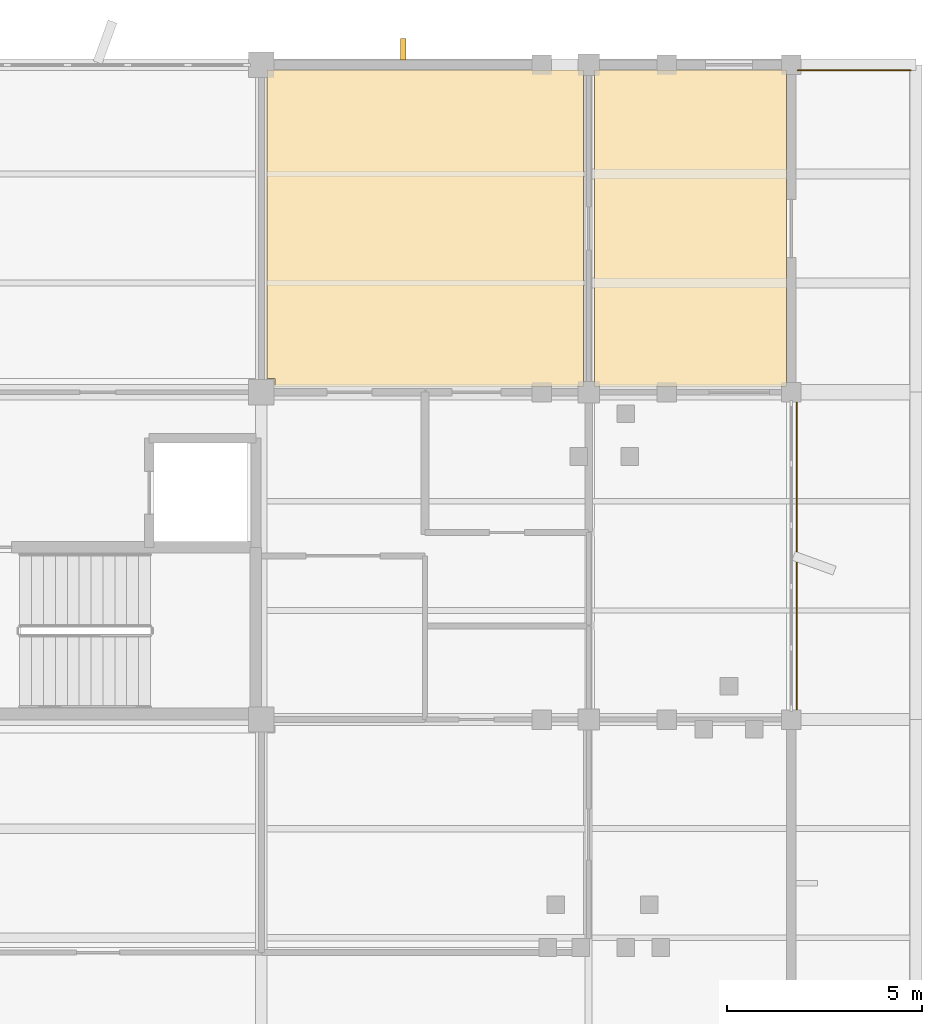
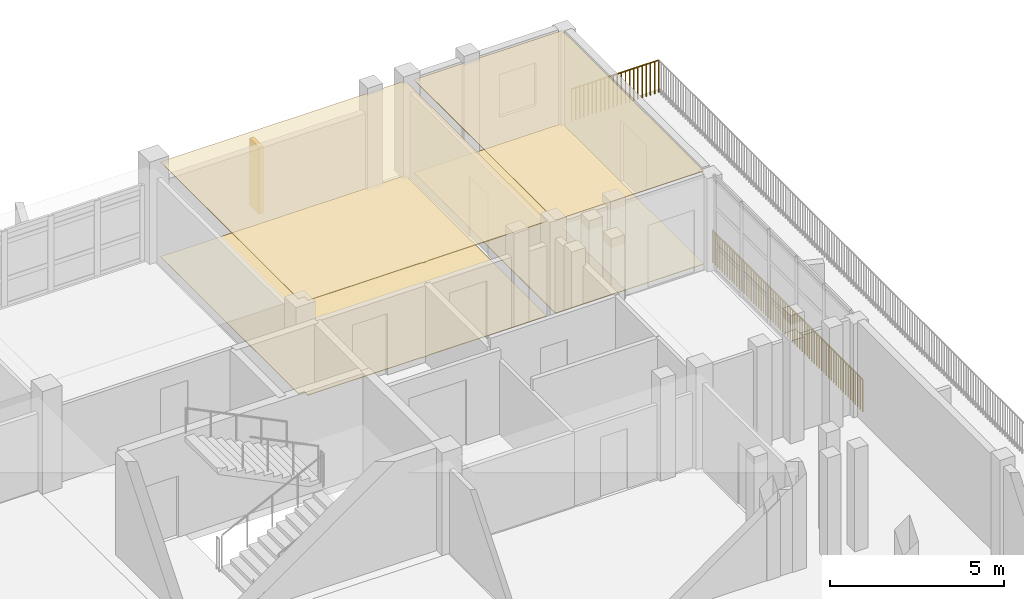
# One storey, part 51 of 51: 4 coverings, 2 railings, 1 shading device.
"""IFC4 building model written with IfcOpenShell, lengths in metres."""

import ifcopenshell
import ifcopenshell.guid

model = None  # the IFC model being written
_history = None  # IfcOwnerHistory: only IFC2X3 demands one
_inside = {}  # id of a spatial element -> (the spatial element, [elements in it])
_under = {}  # id of a project, library or spatial element -> (it, [spatial elements below it])
_declared = {}  # id of a project -> (the project, [libraries it declares])
_typed = {}  # id of a type object -> (the type object, [elements of that type])
_made_of = {}  # id of a material, layer set ... -> (it, [elements and type objects made of it])


def new_model(schema):
    """Start an empty IFC model of exactly this schema.

    Asked for "IFC4X3", IfcOpenShell would pick the latest addendum, in which some entities
    have other attributes; the version numbers below select the first issue.
    IFC2X3 requires an IfcOwnerHistory on every rooted entity: one is made here for all.
    """
    global model, _history
    if schema == "IFC4X3":
        model = ifcopenshell.file(schema_version=(4, 3, 0, 0))
    else:
        model = ifcopenshell.file(schema=schema)
    _inside.clear()
    _under.clear()
    _declared.clear()
    _typed.clear()
    _made_of.clear()
    _history = None
    if model.schema == "IFC2X3":
        org = make("IfcOrganization", Name="unknown")
        user = make(
            "IfcPersonAndOrganization",
            ThePerson=make("IfcPerson", FamilyName="unknown"),
            TheOrganization=org,
        )
        app = make(
            "IfcApplication",
            ApplicationDeveloper=org,
            Version="unknown",
            ApplicationFullName="unknown",
            ApplicationIdentifier="unknown",
        )
        _history = make(
            "IfcOwnerHistory",
            OwningUser=user,
            OwningApplication=app,
            ChangeAction="ADDED",
            CreationDate=0,
        )
    return model


def make(cls, **values):
    """One entity of the class cls with the attributes given. An attribute that is None is left unset."""
    return model.create_entity(
        cls, **{name: value for name, value in values.items() if value is not None}
    )


def rooted(cls, **values):
    """An entity with a GlobalId (a new one), such as an element, a storey or a relation."""
    return make(cls, GlobalId=ifcopenshell.guid.new(), OwnerHistory=_history, **values)


def si_unit(unit_type, name, prefix=None):
    """IfcSIUnit, for example si_unit("LENGTHUNIT", "METRE", prefix="MILLI")."""
    return make("IfcSIUnit", UnitType=unit_type, Prefix=prefix, Name=name)


def assignment(units):
    """IfcUnitAssignment: the units of a project."""
    return None if units is None else make("IfcUnitAssignment", Units=units)


def point(xyz):
    """IfcCartesianPoint."""
    return None if xyz is None else make("IfcCartesianPoint", Coordinates=xyz)


def direction(xyz):
    """IfcDirection."""
    return None if xyz is None else make("IfcDirection", DirectionRatios=xyz)


def frame(location, z_axis=None, x_axis=None):
    """IfcAxis2Placement3D, a coordinate frame: its origin and axes. An axis left out is left unset."""
    return make(
        "IfcAxis2Placement3D",
        Location=point(location),
        Axis=direction(z_axis),
        RefDirection=direction(x_axis),
    )


def frame_2d(location, x_axis=None):
    """IfcAxis2Placement2D, a coordinate frame in the plane: its origin and x axis."""
    return make(
        "IfcAxis2Placement2D", Location=point(location), RefDirection=direction(x_axis)
    )


def origin():
    """The frame at (0, 0, 0) with its axes left unset."""
    return frame((0.0, 0.0, 0.0))


def origin_2d():
    """The frame at (0, 0) in the plane with its x axis left unset."""
    return frame_2d((0.0, 0.0))


def place(relative_to, where):
    """IfcLocalPlacement: puts the frame where relative to a parent placement (None: the world)."""
    return make(
        "IfcLocalPlacement", PlacementRelTo=relative_to, RelativePlacement=where
    )


def context(
    kind, dimensions, precision=None, world=None, true_north=None, identifier=None
):
    """IfcGeometricRepresentationContext, for example the 3D "Model" context."""
    return make(
        "IfcGeometricRepresentationContext",
        ContextIdentifier=identifier,
        ContextType=kind,
        CoordinateSpaceDimension=dimensions,
        Precision=precision,
        WorldCoordinateSystem=world,
        TrueNorth=true_north,
    )


def subcontext(parent, identifier, kind, view, scale=None):
    """IfcGeometricRepresentationSubContext, for example "Body" below "Model"."""
    return make(
        "IfcGeometricRepresentationSubContext",
        ContextIdentifier=identifier,
        ContextType=kind,
        ParentContext=parent,
        TargetScale=scale,
        TargetView=view,
    )


def project(units=None, contexts=None):
    """IfcProject with its units and contexts."""
    return rooted(
        "IfcProject",
        Name="project",
        RepresentationContexts=contexts,
        UnitsInContext=assignment(units),
    )


def spatial(cls, under=None, at=None, **own):
    """A site, building, storey or space (cls), placed at a placement, below another one or the project."""
    s = rooted(cls, ObjectPlacement=at, **own)
    if under is not None:
        _under.setdefault(under.id(), (under, []))[1].append(s)
    return s


def polyline(points):
    """IfcPolyline through the points."""
    return make("IfcPolyline", Points=[point(p) for p in points])


def profile(cls, at=None, kind="AREA", **sizes):
    """A parametric profile (cls). Its sizes go by their IFC names, for example OverallWidth=200.0."""
    return make(cls, ProfileType=kind, Position=at, **sizes)


def rectangle(**sizes):
    """IfcRectangleProfileDef."""
    return profile("IfcRectangleProfileDef", **sizes)


def circle(**sizes):
    """IfcCircleProfileDef."""
    return profile("IfcCircleProfileDef", **sizes)


def outline(outer, holes=None, kind="AREA"):
    """IfcArbitraryClosedProfileDef: a profile drawn as a closed curve; with holes, ...WithVoids."""
    if holes is None:
        return make("IfcArbitraryClosedProfileDef", ProfileType=kind, OuterCurve=outer)
    return make(
        "IfcArbitraryProfileDefWithVoids",
        ProfileType=kind,
        OuterCurve=outer,
        InnerCurves=holes,
    )


def extrude(swept, where, along, depth):
    """IfcExtrudedAreaSolid: the profile swept, set in the frame where, extruded along a direction by depth."""
    return make(
        "IfcExtrudedAreaSolid",
        SweptArea=swept,
        Position=where,
        ExtrudedDirection=direction(along),
        Depth=depth,
    )


def shape(context_of_items, identifier, shape_type, items):
    """IfcShapeRepresentation: the items that make up one representation, for example the "Body"."""
    return make(
        "IfcShapeRepresentation",
        ContextOfItems=context_of_items,
        RepresentationIdentifier=identifier,
        RepresentationType=shape_type,
        Items=items,
    )


def material(Name=None, Category=None):
    """IfcMaterial."""
    return make("IfcMaterial", Name=Name, Category=Category)


def layer(
    of_material, thickness, ventilated=None, Name=None, Category=None, Priority=None
):
    """IfcMaterialLayer: one layer of a wall or slab, of a material (None: an air gap)."""
    return make(
        "IfcMaterialLayer",
        Material=of_material,
        LayerThickness=thickness,
        IsVentilated=ventilated,
        Name=Name,
        Category=Category,
        Priority=Priority,
    )


def layer_set(layers, Name=None):
    """IfcMaterialLayerSet."""
    return make("IfcMaterialLayerSet", MaterialLayers=layers, LayerSetName=Name)


def made_of(thing, what):
    """Note that an element or type object is made of a material, layer set ...; save() writes the relation."""
    if what is not None:
        _made_of.setdefault(what.id(), (what, []))[1].append(thing)
    return thing


def type_object(cls, material=None, **own):
    """A type object (cls), such as IfcWallType, which elements share."""
    return made_of(rooted(cls, **own), material)


def element(
    cls,
    number,
    at=None,
    inside=None,
    cuts=None,
    type_object=None,
    material=None,
    context=None,
    identifier="Body",
    shape_type=None,
    held_by="IfcProductDefinitionShape",
    body=None,
    shapes=None,
    **own,
):
    """One element of the class cls, such as IfcWall. Its Tag is "e" and its number.

    at: its placement. inside: the storey or other place that contains it. cuts: it is an
    opening in that element (IfcRelVoidsElement). A single representation is given by context,
    identifier, shape_type and body (its items); several are given by shapes. held_by: the class
    of the entity that holds the representations. save() writes the other relations.
    """
    e = rooted(cls, Tag="e%d" % number, ObjectPlacement=at, **own)
    if body is not None:
        shapes = [shape(context, identifier, shape_type, body)]
    if shapes is not None:
        e.Representation = make(held_by, Representations=shapes)
    if inside is not None:
        _inside.setdefault(inside.id(), (inside, []))[1].append(e)
    if cuts is not None:
        rooted(
            "IfcRelVoidsElement", RelatingBuildingElement=cuts, RelatedOpeningElement=e
        )
    if type_object is not None:
        _typed.setdefault(type_object.id(), (type_object, []))[1].append(e)
    return made_of(e, material)


def aggregate(whole, parts):
    """IfcRelAggregates: a whole, such as a stair, and the parts it consists of."""
    return rooted("IfcRelAggregates", RelatingObject=whole, RelatedObjects=parts)


def save(model, path):
    """Write the relations noted so far, then the file.

    IfcRelAggregates (storeys below a building ...), IfcRelContainedInSpatialStructure (elements
    in a storey), IfcRelDefinesByType, IfcRelAssociatesMaterial and IfcRelDeclares: one each for
    every whole, place, type object, material and project.
    """
    for whole, parts in _under.values():
        aggregate(whole, parts)
    for where, things in _inside.values():
        rooted(
            "IfcRelContainedInSpatialStructure",
            RelatedElements=things,
            RelatingStructure=where,
        )
    for kind, things in _typed.values():
        rooted("IfcRelDefinesByType", RelatedObjects=things, RelatingType=kind)
    for what, things in _made_of.values():
        rooted("IfcRelAssociatesMaterial", RelatedObjects=things, RelatingMaterial=what)
    for by, libraries in _declared.values():
        rooted("IfcRelDeclares", RelatingContext=by, RelatedDefinitions=libraries)
    model.write(path)


model = new_model("IFC4")

# Units and contexts
model_context = context("Model", 3, precision=1e-05, world=origin(), true_north=direction((0.0, 1.0)))
body_context = subcontext(model_context, "Body", "Model", "MODEL_VIEW")
ifc_project = project(units=[si_unit("LENGTHUNIT", "METRE"), si_unit("AREAUNIT", "SQUARE_METRE"), si_unit("VOLUMEUNIT", "CUBIC_METRE"), si_unit("PLANEANGLEUNIT", "RADIAN"), si_unit("MASSUNIT", "GRAM", prefix="KILO")], contexts=[model_context])

# Site, building, storey
site_placement = place(None, origin())
site = spatial("IfcSite", under=ifc_project, at=site_placement, CompositionType="ELEMENT")
building_placement = place(site_placement, origin())
building = spatial("IfcBuilding", under=site, at=building_placement, Name="Vanh Quang Courtyard School", CompositionType="ELEMENT")
storey_placement = place(building_placement, frame((0.0, 0.0, 11.39990234375)))
storey = spatial("IfcBuildingStorey", under=building, at=storey_placement, Name="L03", CompositionType="ELEMENT", Elevation=11.39990234375)

# Coverings
ifc_material_1 = material(Name="Perforated mineral-fibre acoustic ceiling board")
ifc_layer_1 = layer(ifc_material_1, 0.02490234375)
ifc_layer_set_1 = layer_set([ifc_layer_1], Name="Perforated mineral-fibre acoustic ceiling board")
covering_type_1 = type_object("IfcCoveringType", Name="COV-CEIL-ACOUSTIC", PredefinedType="CEILING", material=ifc_layer_set_1)
covering_1_placement = place(storey_placement, frame((0.0, 0.0, 3.315185546875)))
element("IfcCovering", 1, at=covering_1_placement, inside=storey, type_object=covering_type_1, Name="Covering CV-CL1 (L03)", PredefinedType="CEILING", context=body_context, shape_type="SweptSolid", body=[
    extrude(outline(polyline([(102.949951171875, 88.35009765625), (102.949951171875, 88.550048828125), (102.75, 88.550048828125), (102.75, 96.4599609375), (102.75, 96.4609375), (102.750244140625, 96.4619140625), (102.75048828125, 96.462890625), (102.750732421875, 96.4638671875), (102.751220703125, 96.464599609375), (102.751708984375, 96.465576171875), (102.752197265625, 96.46630859375), (102.7529296875, 96.467041015625), (102.753662109375, 96.4677734375), (102.75439453125, 96.46826171875), (102.75537109375, 96.46875), (102.756103515625, 96.46923828125), (102.757080078125, 96.469482421875), (102.758056640625, 96.4697265625), (102.759033203125, 96.469970703125), (102.760009765625, 96.469970703125), (110.860107421875, 96.469970703125), (110.861083984375, 96.469970703125), (110.862060546875, 96.4697265625), (110.86279296875, 96.469482421875), (110.86376953125, 96.46923828125), (110.86474609375, 96.46875), (110.865478515625, 96.46826171875), (110.8662109375, 96.4677734375), (110.8671875, 96.467041015625), (110.86767578125, 96.46630859375), (110.868408203125, 96.465576171875), (110.868896484375, 96.464599609375), (110.869140625, 96.4638671875), (110.86962890625, 96.462890625), (110.869873046875, 96.4619140625), (110.8701171875, 96.4609375), (110.8701171875, 96.4599609375), (110.8701171875, 88.360107421875), (110.8701171875, 88.35888671875), (110.869873046875, 88.35791015625), (110.86962890625, 88.357177734375), (110.869140625, 88.356201171875), (110.868896484375, 88.355224609375), (110.868408203125, 88.3544921875), (110.86767578125, 88.353759765625), (110.8671875, 88.352783203125), (110.8662109375, 88.352294921875), (110.865478515625, 88.351806640625), (110.86474609375, 88.351318359375), (110.86376953125, 88.350830078125), (110.86279296875, 88.350341796875), (110.862060546875, 88.35009765625), (110.861083984375, 88.35009765625), (110.860107421875, 88.35009765625), (106.9609375, 88.35009765625), (106.8544921875, 88.330078125), (106.853515625, 88.330078125), (106.8525390625, 88.330078125), (106.767333984375, 88.330078125), (106.7666015625, 88.330078125), (106.765625, 88.330078125), (106.6591796875, 88.35009765625), (102.949951171875, 88.35009765625)])), origin(), (0.0, 0.0, 1.0), 0.02490234375),
])
covering_2_placement = place(storey_placement, frame((0.0, 0.0, 3.255126953125)))
element("IfcCovering", 2, at=covering_2_placement, inside=storey, type_object=covering_type_1, Name="Covering CV-CL1 (L03)", PredefinedType="CEILING", context=body_context, shape_type="SweptSolid", body=[
    extrude(outline(polyline([(111.159912109375, 88.35009765625), (111.158935546875, 88.35009765625), (111.157958984375, 88.35009765625), (111.156982421875, 88.350341796875), (111.15625, 88.350830078125), (111.1552734375, 88.351318359375), (111.154296875, 88.351806640625), (111.15380859375, 88.352294921875), (111.15283203125, 88.352783203125), (111.15234375, 88.353759765625), (111.151611328125, 88.3544921875), (111.151123046875, 88.355224609375), (111.15087890625, 88.356201171875), (111.150390625, 88.357177734375), (111.150146484375, 88.35791015625), (111.14990234375, 88.35888671875), (111.14990234375, 88.360107421875), (111.14990234375, 96.4599609375), (111.14990234375, 96.4609375), (111.150146484375, 96.4619140625), (111.150390625, 96.462890625), (111.15087890625, 96.4638671875), (111.151123046875, 96.464599609375), (111.151611328125, 96.465576171875), (111.15234375, 96.46630859375), (111.15283203125, 96.467041015625), (111.15380859375, 96.4677734375), (111.154296875, 96.46826171875), (111.1552734375, 96.46875), (111.15625, 96.46923828125), (111.156982421875, 96.469482421875), (111.157958984375, 96.4697265625), (111.158935546875, 96.469970703125), (111.159912109375, 96.469970703125), (116.06005859375, 96.469970703125), (116.06103515625, 96.469970703125), (116.06201171875, 96.4697265625), (116.06298828125, 96.469482421875), (116.063720703125, 96.46923828125), (116.064697265625, 96.46875), (116.065673828125, 96.46826171875), (116.06640625, 96.4677734375), (116.067138671875, 96.467041015625), (116.067626953125, 96.46630859375), (116.068359375, 96.465576171875), (116.06884765625, 96.464599609375), (116.069091796875, 96.4638671875), (116.069580078125, 96.462890625), (116.06982421875, 96.4619140625), (116.070068359375, 96.4609375), (116.070068359375, 96.4599609375), (116.070068359375, 88.360107421875), (116.070068359375, 88.35888671875), (116.06982421875, 88.35791015625), (116.069580078125, 88.357177734375), (116.069091796875, 88.356201171875), (116.06884765625, 88.355224609375), (116.068359375, 88.3544921875), (116.067626953125, 88.353759765625), (116.067138671875, 88.352783203125), (116.06640625, 88.352294921875), (116.065673828125, 88.351806640625), (116.064697265625, 88.351318359375), (116.063720703125, 88.350830078125), (116.06298828125, 88.350341796875), (116.06201171875, 88.35009765625), (116.06103515625, 88.35009765625), (116.06005859375, 88.35009765625), (111.159912109375, 88.35009765625)])), origin(), (0.0, 0.0, 1.0), 0.02490234375),
])
ifc_material_2 = material(Name="Polished cementitious terrazzo tile", Category="concrete")
ifc_layer_2 = layer(ifc_material_2, 0.02001953125)
ifc_layer_set_2 = layer_set([ifc_layer_2], Name="Polished cementitious terrazzo tile")
covering_type_2 = type_object("IfcCoveringType", Name="COV-FLR-TERRAZZO", PredefinedType="FLOORING", material=ifc_layer_set_2)
covering_3_placement = place(storey_placement, origin())
element("IfcCovering", 3, at=covering_3_placement, inside=storey, type_object=covering_type_2, Name="Covering CV-FL1 (L03)", PredefinedType="FLOORING", context=body_context, shape_type="SweptSolid", body=[
    extrude(outline(polyline([(102.949951171875, 88.35009765625), (102.949951171875, 88.550048828125), (102.75, 88.550048828125), (102.75, 96.4599609375), (102.75, 96.4609375), (102.750244140625, 96.4619140625), (102.75048828125, 96.462890625), (102.750732421875, 96.4638671875), (102.751220703125, 96.464599609375), (102.751708984375, 96.465576171875), (102.752197265625, 96.46630859375), (102.7529296875, 96.467041015625), (102.753662109375, 96.4677734375), (102.75439453125, 96.46826171875), (102.75537109375, 96.46875), (102.756103515625, 96.46923828125), (102.757080078125, 96.469482421875), (102.758056640625, 96.4697265625), (102.759033203125, 96.469970703125), (102.760009765625, 96.469970703125), (110.860107421875, 96.469970703125), (110.861083984375, 96.469970703125), (110.862060546875, 96.4697265625), (110.86279296875, 96.469482421875), (110.86376953125, 96.46923828125), (110.86474609375, 96.46875), (110.865478515625, 96.46826171875), (110.8662109375, 96.4677734375), (110.8671875, 96.467041015625), (110.86767578125, 96.46630859375), (110.868408203125, 96.465576171875), (110.868896484375, 96.464599609375), (110.869140625, 96.4638671875), (110.86962890625, 96.462890625), (110.869873046875, 96.4619140625), (110.8701171875, 96.4609375), (110.8701171875, 96.4599609375), (110.8701171875, 88.360107421875), (110.8701171875, 88.35888671875), (110.869873046875, 88.35791015625), (110.86962890625, 88.357177734375), (110.869140625, 88.356201171875), (110.868896484375, 88.355224609375), (110.868408203125, 88.3544921875), (110.86767578125, 88.353759765625), (110.8671875, 88.352783203125), (110.8662109375, 88.352294921875), (110.865478515625, 88.351806640625), (110.86474609375, 88.351318359375), (110.86376953125, 88.350830078125), (110.86279296875, 88.350341796875), (110.862060546875, 88.35009765625), (110.861083984375, 88.35009765625), (110.860107421875, 88.35009765625), (106.9609375, 88.35009765625), (106.8544921875, 88.330078125), (106.853515625, 88.330078125), (106.8525390625, 88.330078125), (106.767333984375, 88.330078125), (106.7666015625, 88.330078125), (106.765625, 88.330078125), (106.6591796875, 88.35009765625), (102.949951171875, 88.35009765625)])), origin(), (0.0, 0.0, 1.0), 0.02001953125),
])
covering_4_placement = place(storey_placement, origin())
element("IfcCovering", 4, at=covering_4_placement, inside=storey, type_object=covering_type_2, Name="Covering CV-FL1 (L03)", PredefinedType="FLOORING", context=body_context, shape_type="SweptSolid", body=[
    extrude(outline(polyline([(111.159912109375, 88.35009765625), (111.158935546875, 88.35009765625), (111.157958984375, 88.35009765625), (111.156982421875, 88.350341796875), (111.15625, 88.350830078125), (111.1552734375, 88.351318359375), (111.154296875, 88.351806640625), (111.15380859375, 88.352294921875), (111.15283203125, 88.352783203125), (111.15234375, 88.353759765625), (111.151611328125, 88.3544921875), (111.151123046875, 88.355224609375), (111.15087890625, 88.356201171875), (111.150390625, 88.357177734375), (111.150146484375, 88.35791015625), (111.14990234375, 88.35888671875), (111.14990234375, 88.360107421875), (111.14990234375, 96.4599609375), (111.14990234375, 96.4609375), (111.150146484375, 96.4619140625), (111.150390625, 96.462890625), (111.15087890625, 96.4638671875), (111.151123046875, 96.464599609375), (111.151611328125, 96.465576171875), (111.15234375, 96.46630859375), (111.15283203125, 96.467041015625), (111.15380859375, 96.4677734375), (111.154296875, 96.46826171875), (111.1552734375, 96.46875), (111.15625, 96.46923828125), (111.156982421875, 96.469482421875), (111.157958984375, 96.4697265625), (111.158935546875, 96.469970703125), (111.159912109375, 96.469970703125), (116.06005859375, 96.469970703125), (116.06103515625, 96.469970703125), (116.06201171875, 96.4697265625), (116.06298828125, 96.469482421875), (116.063720703125, 96.46923828125), (116.064697265625, 96.46875), (116.065673828125, 96.46826171875), (116.06640625, 96.4677734375), (116.067138671875, 96.467041015625), (116.067626953125, 96.46630859375), (116.068359375, 96.465576171875), (116.06884765625, 96.464599609375), (116.069091796875, 96.4638671875), (116.069580078125, 96.462890625), (116.06982421875, 96.4619140625), (116.070068359375, 96.4609375), (116.070068359375, 96.4599609375), (116.070068359375, 88.360107421875), (116.070068359375, 88.35888671875), (116.06982421875, 88.35791015625), (116.069580078125, 88.357177734375), (116.069091796875, 88.356201171875), (116.06884765625, 88.355224609375), (116.068359375, 88.3544921875), (116.067626953125, 88.353759765625), (116.067138671875, 88.352783203125), (116.06640625, 88.352294921875), (116.065673828125, 88.351806640625), (116.064697265625, 88.351318359375), (116.063720703125, 88.350830078125), (116.06298828125, 88.350341796875), (116.06201171875, 88.35009765625), (116.06103515625, 88.35009765625), (116.06005859375, 88.35009765625), (111.159912109375, 88.35009765625)])), origin(), (0.0, 0.0, 1.0), 0.02001953125),
])

# Railings
ifc_material_3 = material(Name="Galvanised painted steel EN 10025-2 S355J2", Category="steel")
railing_type = type_object("IfcRailingType", Name="RAIL-GUARD-1150", PredefinedType="BALUSTRADE", material=ifc_material_3)
railing_1_placement = place(storey_placement, frame((116.340087890625, 79.694580078125, 0.0)))
element("IfcRailing", 5, at=railing_1_placement, inside=storey, type_object=railing_type, Name="Railing GR-01 (L03)", PredefinedType="BALUSTRADE", context=body_context, shape_type="SweptSolid", body=[
    extrude(circle(Radius=0.02392578125, at=origin_2d()), frame((0.0, 0.0, 1.1259765625), z_axis=(0.0, 1.0, 0.0), x_axis=(-1.0, 0.0, 0.0)), (0.0, 0.0, 1.0), 8.61083984375),
    extrude(circle(Radius=0.02099609375, at=origin_2d()), origin(), (0.0, 0.0, 1.0), 1.101806640625),
    extrude(circle(Radius=0.02099609375, at=origin_2d()), frame((0.0, 0.138916015625, 0.0)), (0.0, 0.0, 1.0), 1.101806640625),
    extrude(circle(Radius=0.02099609375, at=origin_2d()), frame((0.0, 0.27783203125, 0.0)), (0.0, 0.0, 1.0), 1.101806640625),
    extrude(circle(Radius=0.02099609375, at=origin_2d()), frame((0.0, 0.416748046875, 0.0)), (0.0, 0.0, 1.0), 1.101806640625),
    extrude(circle(Radius=0.02099609375, at=origin_2d()), frame((0.0, 0.555419921875, 0.0)), (0.0, 0.0, 1.0), 1.101806640625),
    extrude(circle(Radius=0.02099609375, at=origin_2d()), frame((0.0, 0.6943359375, 0.0)), (0.0, 0.0, 1.0), 1.101806640625),
    extrude(circle(Radius=0.02099609375, at=origin_2d()), frame((0.0, 0.833251953125, 0.0)), (0.0, 0.0, 1.0), 1.101806640625),
    extrude(circle(Radius=0.02099609375, at=origin_2d()), frame((0.0, 0.97216796875, 0.0)), (0.0, 0.0, 1.0), 1.101806640625),
    extrude(circle(Radius=0.02099609375, at=origin_2d()), frame((0.0, 1.111083984375, 0.0)), (0.0, 0.0, 1.0), 1.101806640625),
    extrude(circle(Radius=0.02099609375, at=origin_2d()), frame((0.0, 1.25, 0.0)), (0.0, 0.0, 1.0), 1.101806640625),
    extrude(circle(Radius=0.02099609375, at=origin_2d()), frame((0.0, 1.388916015625, 0.0)), (0.0, 0.0, 1.0), 1.101806640625),
    extrude(circle(Radius=0.02099609375, at=origin_2d()), frame((0.0, 1.52783203125, 0.0)), (0.0, 0.0, 1.0), 1.101806640625),
    extrude(circle(Radius=0.02099609375, at=origin_2d()), frame((0.0, 1.66650390625, 0.0)), (0.0, 0.0, 1.0), 1.101806640625),
    extrude(circle(Radius=0.02099609375, at=origin_2d()), frame((0.0, 1.805419921875, 0.0)), (0.0, 0.0, 1.0), 1.101806640625),
    extrude(circle(Radius=0.02099609375, at=origin_2d()), frame((0.0, 1.9443359375, 0.0)), (0.0, 0.0, 1.0), 1.101806640625),
    extrude(circle(Radius=0.02099609375, at=origin_2d()), frame((0.0, 2.083251953125, 0.0)), (0.0, 0.0, 1.0), 1.101806640625),
    extrude(circle(Radius=0.02099609375, at=origin_2d()), frame((0.0, 2.22216796875, 0.0)), (0.0, 0.0, 1.0), 1.101806640625),
    extrude(circle(Radius=0.02099609375, at=origin_2d()), frame((0.0, 2.361083984375, 0.0)), (0.0, 0.0, 1.0), 1.101806640625),
    extrude(circle(Radius=0.02099609375, at=origin_2d()), frame((0.0, 2.5, 0.0)), (0.0, 0.0, 1.0), 1.101806640625),
    extrude(circle(Radius=0.02099609375, at=origin_2d()), frame((0.0, 2.638916015625, 0.0)), (0.0, 0.0, 1.0), 1.101806640625),
    extrude(circle(Radius=0.02099609375, at=origin_2d()), frame((0.0, 2.777587890625, 0.0)), (0.0, 0.0, 1.0), 1.101806640625),
    extrude(circle(Radius=0.02099609375, at=origin_2d()), frame((0.0, 2.91650390625, 0.0)), (0.0, 0.0, 1.0), 1.101806640625),
    extrude(circle(Radius=0.02099609375, at=origin_2d()), frame((0.0, 3.055419921875, 0.0)), (0.0, 0.0, 1.0), 1.101806640625),
    extrude(circle(Radius=0.02099609375, at=origin_2d()), frame((0.0, 3.1943359375, 0.0)), (0.0, 0.0, 1.0), 1.101806640625),
    extrude(circle(Radius=0.02099609375, at=origin_2d()), frame((0.0, 3.333251953125, 0.0)), (0.0, 0.0, 1.0), 1.101806640625),
    extrude(circle(Radius=0.02099609375, at=origin_2d()), frame((0.0, 3.47216796875, 0.0)), (0.0, 0.0, 1.0), 1.101806640625),
    extrude(circle(Radius=0.02099609375, at=origin_2d()), frame((0.0, 3.611083984375, 0.0)), (0.0, 0.0, 1.0), 1.101806640625),
    extrude(circle(Radius=0.02099609375, at=origin_2d()), frame((0.0, 3.75, 0.0)), (0.0, 0.0, 1.0), 1.101806640625),
    extrude(circle(Radius=0.02099609375, at=origin_2d()), frame((0.0, 3.888671875, 0.0)), (0.0, 0.0, 1.0), 1.101806640625),
    extrude(circle(Radius=0.02099609375, at=origin_2d()), frame((0.0, 4.027587890625, 0.0)), (0.0, 0.0, 1.0), 1.101806640625),
    extrude(circle(Radius=0.02099609375, at=origin_2d()), frame((0.0, 4.16650390625, 0.0)), (0.0, 0.0, 1.0), 1.101806640625),
    extrude(circle(Radius=0.02099609375, at=origin_2d()), frame((0.0, 4.305419921875, 0.0)), (0.0, 0.0, 1.0), 1.101806640625),
    extrude(circle(Radius=0.02099609375, at=origin_2d()), frame((0.0, 4.4443359375, 0.0)), (0.0, 0.0, 1.0), 1.101806640625),
    extrude(circle(Radius=0.02099609375, at=origin_2d()), frame((0.0, 4.583251953125, 0.0)), (0.0, 0.0, 1.0), 1.101806640625),
    extrude(circle(Radius=0.02099609375, at=origin_2d()), frame((0.0, 4.72216796875, 0.0)), (0.0, 0.0, 1.0), 1.101806640625),
    extrude(circle(Radius=0.02099609375, at=origin_2d()), frame((0.0, 4.86083984375, 0.0)), (0.0, 0.0, 1.0), 1.101806640625),
    extrude(circle(Radius=0.02099609375, at=origin_2d()), frame((0.0, 4.999755859375, 0.0)), (0.0, 0.0, 1.0), 1.101806640625),
    extrude(circle(Radius=0.02099609375, at=origin_2d()), frame((0.0, 5.138671875, 0.0)), (0.0, 0.0, 1.0), 1.101806640625),
    extrude(circle(Radius=0.02099609375, at=origin_2d()), frame((0.0, 5.277587890625, 0.0)), (0.0, 0.0, 1.0), 1.101806640625),
    extrude(circle(Radius=0.02099609375, at=origin_2d()), frame((0.0, 5.41650390625, 0.0)), (0.0, 0.0, 1.0), 1.101806640625),
    extrude(circle(Radius=0.02099609375, at=origin_2d()), frame((0.0, 5.555419921875, 0.0)), (0.0, 0.0, 1.0), 1.101806640625),
    extrude(circle(Radius=0.02099609375, at=origin_2d()), frame((0.0, 5.6943359375, 0.0)), (0.0, 0.0, 1.0), 1.101806640625),
    extrude(circle(Radius=0.02099609375, at=origin_2d()), frame((0.0, 5.833251953125, 0.0)), (0.0, 0.0, 1.0), 1.101806640625),
    extrude(circle(Radius=0.02099609375, at=origin_2d()), frame((0.0, 5.971923828125, 0.0)), (0.0, 0.0, 1.0), 1.101806640625),
    extrude(circle(Radius=0.02099609375, at=origin_2d()), frame((0.0, 6.11083984375, 0.0)), (0.0, 0.0, 1.0), 1.101806640625),
    extrude(circle(Radius=0.02099609375, at=origin_2d()), frame((0.0, 6.249755859375, 0.0)), (0.0, 0.0, 1.0), 1.101806640625),
    extrude(circle(Radius=0.02099609375, at=origin_2d()), frame((0.0, 6.388671875, 0.0)), (0.0, 0.0, 1.0), 1.101806640625),
    extrude(circle(Radius=0.02099609375, at=origin_2d()), frame((0.0, 6.527587890625, 0.0)), (0.0, 0.0, 1.0), 1.101806640625),
    extrude(circle(Radius=0.02099609375, at=origin_2d()), frame((0.0, 6.66650390625, 0.0)), (0.0, 0.0, 1.0), 1.101806640625),
    extrude(circle(Radius=0.02099609375, at=origin_2d()), frame((0.0, 6.805419921875, 0.0)), (0.0, 0.0, 1.0), 1.101806640625),
    extrude(circle(Radius=0.02099609375, at=origin_2d()), frame((0.0, 6.9443359375, 0.0)), (0.0, 0.0, 1.0), 1.101806640625),
    extrude(circle(Radius=0.02099609375, at=origin_2d()), frame((0.0, 7.0830078125, 0.0)), (0.0, 0.0, 1.0), 1.101806640625),
    extrude(circle(Radius=0.02099609375, at=origin_2d()), frame((0.0, 7.221923828125, 0.0)), (0.0, 0.0, 1.0), 1.101806640625),
    extrude(circle(Radius=0.02099609375, at=origin_2d()), frame((0.0, 7.36083984375, 0.0)), (0.0, 0.0, 1.0), 1.101806640625),
    extrude(circle(Radius=0.02099609375, at=origin_2d()), frame((0.0, 7.499755859375, 0.0)), (0.0, 0.0, 1.0), 1.101806640625),
    extrude(circle(Radius=0.02099609375, at=origin_2d()), frame((0.0, 7.638671875, 0.0)), (0.0, 0.0, 1.0), 1.101806640625),
    extrude(circle(Radius=0.02099609375, at=origin_2d()), frame((0.0, 7.777587890625, 0.0)), (0.0, 0.0, 1.0), 1.101806640625),
    extrude(circle(Radius=0.02099609375, at=origin_2d()), frame((0.0, 7.91650390625, 0.0)), (0.0, 0.0, 1.0), 1.101806640625),
    extrude(circle(Radius=0.02099609375, at=origin_2d()), frame((0.0, 8.055419921875, 0.0)), (0.0, 0.0, 1.0), 1.101806640625),
    extrude(circle(Radius=0.02099609375, at=origin_2d()), frame((0.0, 8.194091796875, 0.0)), (0.0, 0.0, 1.0), 1.101806640625),
    extrude(circle(Radius=0.02099609375, at=origin_2d()), frame((0.0, 8.3330078125, 0.0)), (0.0, 0.0, 1.0), 1.101806640625),
    extrude(circle(Radius=0.02099609375, at=origin_2d()), frame((0.0, 8.471923828125, 0.0)), (0.0, 0.0, 1.0), 1.101806640625),
    extrude(circle(Radius=0.02099609375, at=origin_2d()), frame((0.0, 8.61083984375, 0.0)), (0.0, 0.0, 1.0), 1.101806640625),
])
railing_2_placement = place(storey_placement, frame((116.3681640625, 96.4599609375, 0.0)))
element("IfcRailing", 6, at=railing_2_placement, inside=storey, type_object=railing_type, Name="Railing GR-01 (L03)", PredefinedType="BALUSTRADE", context=body_context, shape_type="SweptSolid", body=[
    extrude(circle(Radius=0.02392578125, at=origin_2d()), frame((0.0, 0.0, 1.1259765625), z_axis=(1.0, 0.0, 0.0), x_axis=(0.0, 1.0, 0.0)), (0.0, 0.0, 1.0), 2.891845703125),
    extrude(circle(Radius=0.02099609375, at=origin_2d()), origin(), (0.0, 0.0, 1.0), 1.101806640625),
    extrude(circle(Radius=0.02099609375, at=origin_2d()), frame((0.1376953125, 0.0, 0.0)), (0.0, 0.0, 1.0), 1.101806640625),
    extrude(circle(Radius=0.02099609375, at=origin_2d()), frame((0.275390625, 0.0, 0.0)), (0.0, 0.0, 1.0), 1.101806640625),
    extrude(circle(Radius=0.02099609375, at=origin_2d()), frame((0.4130859375, 0.0, 0.0)), (0.0, 0.0, 1.0), 1.101806640625),
    extrude(circle(Radius=0.02099609375, at=origin_2d()), frame((0.55078125, 0.0, 0.0)), (0.0, 0.0, 1.0), 1.101806640625),
    extrude(circle(Radius=0.02099609375, at=origin_2d()), frame((0.6884765625, 0.0, 0.0)), (0.0, 0.0, 1.0), 1.101806640625),
    extrude(circle(Radius=0.02099609375, at=origin_2d()), frame((0.826171875, 0.0, 0.0)), (0.0, 0.0, 1.0), 1.101806640625),
    extrude(circle(Radius=0.02099609375, at=origin_2d()), frame((0.9638671875, 0.0, 0.0)), (0.0, 0.0, 1.0), 1.101806640625),
    extrude(circle(Radius=0.02099609375, at=origin_2d()), frame((1.1015625, 0.0, 0.0)), (0.0, 0.0, 1.0), 1.101806640625),
    extrude(circle(Radius=0.02099609375, at=origin_2d()), frame((1.2392578125, 0.0, 0.0)), (0.0, 0.0, 1.0), 1.101806640625),
    extrude(circle(Radius=0.02099609375, at=origin_2d()), frame((1.376953125, 0.0, 0.0)), (0.0, 0.0, 1.0), 1.101806640625),
    extrude(circle(Radius=0.02099609375, at=origin_2d()), frame((1.514892578125, 0.0, 0.0)), (0.0, 0.0, 1.0), 1.101806640625),
    extrude(circle(Radius=0.02099609375, at=origin_2d()), frame((1.652587890625, 0.0, 0.0)), (0.0, 0.0, 1.0), 1.101806640625),
    extrude(circle(Radius=0.02099609375, at=origin_2d()), frame((1.790283203125, 0.0, 0.0)), (0.0, 0.0, 1.0), 1.101806640625),
    extrude(circle(Radius=0.02099609375, at=origin_2d()), frame((1.927978515625, 0.0, 0.0)), (0.0, 0.0, 1.0), 1.101806640625),
    extrude(circle(Radius=0.02099609375, at=origin_2d()), frame((2.065673828125, 0.0, 0.0)), (0.0, 0.0, 1.0), 1.101806640625),
    extrude(circle(Radius=0.02099609375, at=origin_2d()), frame((2.203369140625, 0.0, 0.0)), (0.0, 0.0, 1.0), 1.101806640625),
    extrude(circle(Radius=0.02099609375, at=origin_2d()), frame((2.341064453125, 0.0, 0.0)), (0.0, 0.0, 1.0), 1.101806640625),
    extrude(circle(Radius=0.02099609375, at=origin_2d()), frame((2.478759765625, 0.0, 0.0)), (0.0, 0.0, 1.0), 1.101806640625),
    extrude(circle(Radius=0.02099609375, at=origin_2d()), frame((2.616455078125, 0.0, 0.0)), (0.0, 0.0, 1.0), 1.101806640625),
    extrude(circle(Radius=0.02099609375, at=origin_2d()), frame((2.754150390625, 0.0, 0.0)), (0.0, 0.0, 1.0), 1.101806640625),
    extrude(circle(Radius=0.02099609375, at=origin_2d()), frame((2.891845703125, 0.0, 0.0)), (0.0, 0.0, 1.0), 1.101806640625),
])

# Shading device
ifc_material_4 = material(Name="Board-marked precast concrete C40/50", Category="concrete")
shading_device_type = type_object("IfcShadingDeviceType", Name="SHD-FIN-CONCRETE", PredefinedType="USERDEFINED", material=ifc_material_4)
shading_device_placement = place(storey_placement, frame((106.237548828125, 96.9951171875, 0.14990234375), z_axis=(0.0, 0.0, 1.0), x_axis=(1.0, 0.0, 0.0)))
element("IfcShadingDevice", 7, at=shading_device_placement, inside=storey, type_object=shading_device_type, Name="Solar Shading SH-02 (L03)", ObjectType="Solar Shading SH-02 (L03)", PredefinedType="USERDEFINED", context=body_context, shape_type="SweptSolid", body=[
    extrude(rectangle(XDim=0.139892578125, YDim=0.550048828125, at=origin_2d()), origin(), (0.0, 0.0, 1.0), 2.340087890625),
])

save(model, "model.ifc")
